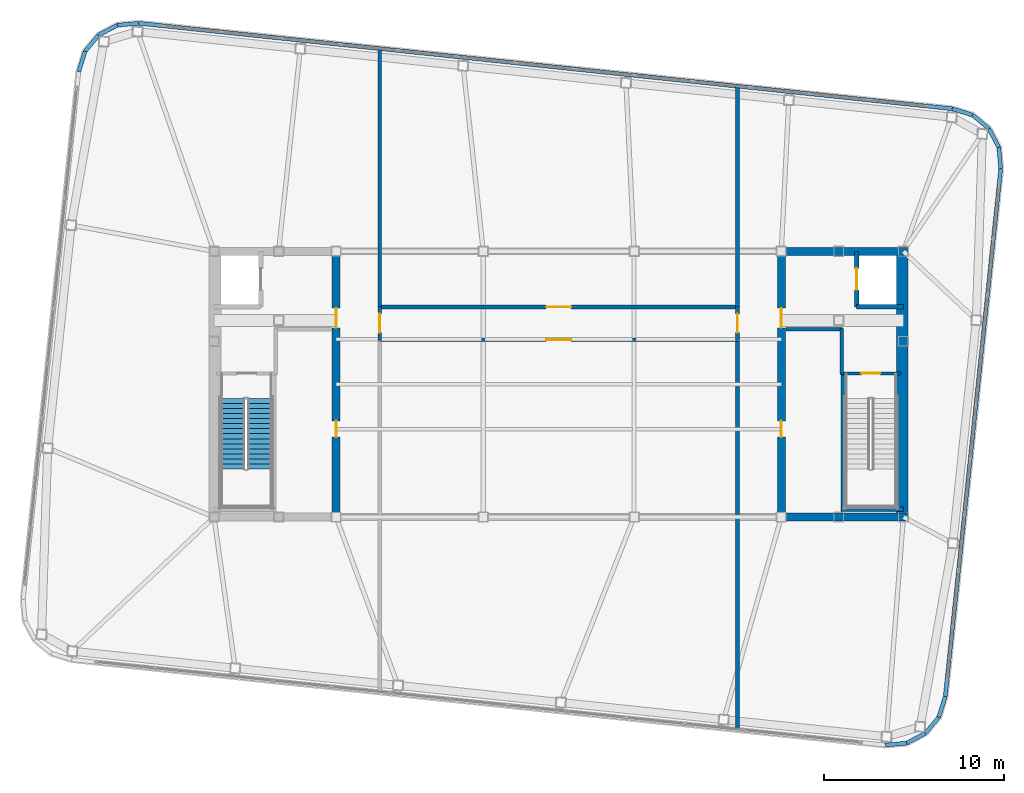
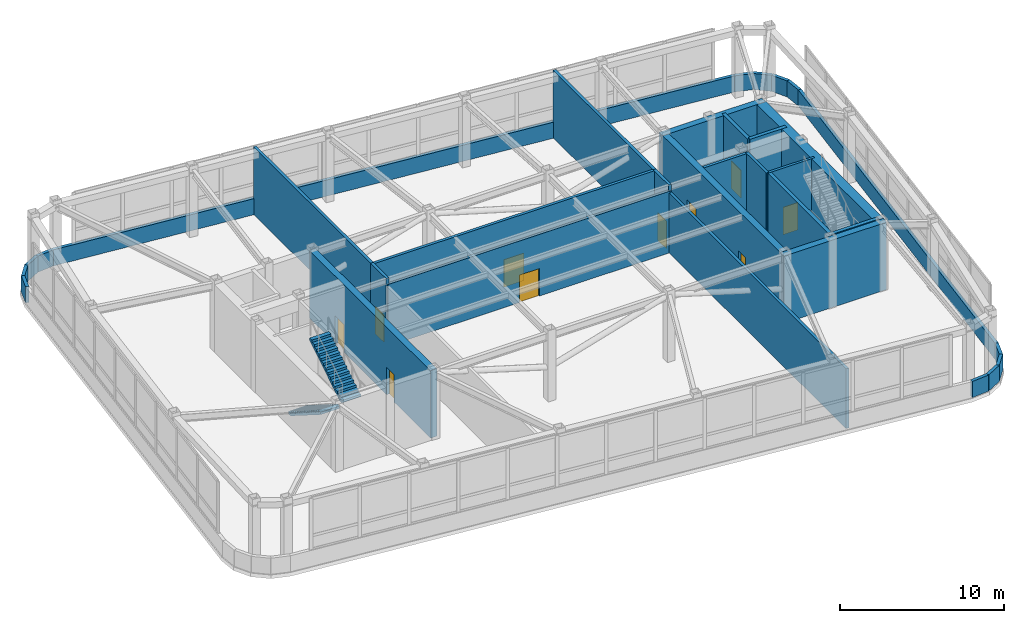
# One storey, part 20 of 23: 33 walls, 10 doors, 2 stair flights, 10 openings, 1 element without a shape of its own.
"""IFC4 building model written with IfcOpenShell, lengths in metres."""

from ifc_helpers import new_model, si_unit, direction, frame, frame_2d, origin, place, context, subcontext, project, spatial, polyline, rectangle, outline, extrude, material, layer, layer_set, type_object, element, fill, aggregate, save


model = new_model("IFC4")

# Units and contexts
model_context = context("Model", 3, precision=1e-05, world=origin(), true_north=direction((0.0, 1.0)))
body_context = subcontext(model_context, "Body", "Model", "MODEL_VIEW")
ifc_project = project(units=[si_unit("LENGTHUNIT", "METRE"), si_unit("AREAUNIT", "SQUARE_METRE"), si_unit("VOLUMEUNIT", "CUBIC_METRE"), si_unit("PLANEANGLEUNIT", "RADIAN"), si_unit("MASSUNIT", "GRAM", prefix="KILO")], contexts=[model_context])

# Site, building, storey
site_placement = place(None, origin())
site = spatial("IfcSite", under=ifc_project, at=site_placement, CompositionType="ELEMENT")
building_placement = place(site_placement, origin())
building = spatial("IfcBuilding", under=site, at=building_placement, Name="Voryun Gate Residences", CompositionType="ELEMENT")
storey_placement = place(building_placement, frame((0.0, 0.0, 321.300048828125)))
storey = spatial("IfcBuildingStorey", under=building, at=storey_placement, Name="L79", CompositionType="ELEMENT", Elevation=321.300048828125)

# Wall, openings, doors
ifc_material_1 = material(Name="Concrete C50/60", Category="concrete")
ifc_layer_1 = layer(ifc_material_1, 0.449951171875, Name="CW_CORE_450")
ifc_layer_set_1 = layer_set([ifc_layer_1], Name="Concrete C50/60")
wall_type_1 = type_object("IfcWallType", Name="CW_CORE_450", PredefinedType="SHEAR", material=ifc_layer_set_1)
wall_1_placement = place(storey_placement, frame((-12.39990234375, -7.39990234375, 0.0), z_axis=(0.0, 0.0, 1.0), x_axis=(0.0, 1.0, 0.0)))
wall_1 = element("IfcWall", 1, at=wall_1_placement, inside=storey, type_object=wall_type_1, Name="L79 Core shear wall CW-L79-WE", PredefinedType="SHEAR", context=body_context, shape_type="SweptSolid", body=[
    extrude(rectangle(XDim=14.7998046875, YDim=0.449951171875, at=frame_2d((7.39990234375, 0.0))), origin(), (0.0, 0.0, 1.0), 5.02490234375),
])
opening_1_placement = place(wall_1_placement, frame((10.530029296875, 0.0, 0.0)))
opening_1 = element("IfcOpeningElement", 2, at=opening_1_placement, cuts=wall_1, Name="Opening D-FD60-2", PredefinedType="OPENING", context=body_context, shape_type="SweptSolid", body=[
    extrude(rectangle(XDim=1.10009765625, YDim=2.050048828125, at=frame_2d((0.550048828125, 1.02490234375))), frame((0.0, 0.235107421875, 0.0), z_axis=(0.0, -1.0, 0.0), x_axis=(1.0, 0.0, 0.0)), (0.0, 0.0, 1.0), 0.469970703125),
])
opening_2_placement = place(wall_1_placement, frame((4.449951171875, 0.0, 0.0)))
opening_2 = element("IfcOpeningElement", 3, at=opening_2_placement, cuts=wall_1, Name="Opening D-FD60-4", PredefinedType="OPENING", context=body_context, shape_type="SweptSolid", body=[
    extrude(rectangle(XDim=0.89990234375, YDim=2.050048828125, at=frame_2d((0.449951171875, 1.02490234375))), frame((0.0, 0.235107421875, 0.0), z_axis=(0.0, -1.0, 0.0), x_axis=(1.0, 0.0, 0.0)), (0.0, 0.0, 1.0), 0.469970703125),
])
ifc_material_2 = material(Name="Painted steel fire door", Category="steel")
door_type_1 = type_object("IfcDoorType", Name="DR_FD60_FFLOB_1100", OperationType="NOTDEFINED", PredefinedType="DOOR", material=ifc_material_2)
door_1_placement = place(opening_1_placement, origin())
door_1 = element("IfcDoor", 4, at=door_1_placement, inside=storey, type_object=door_type_1, Name="Door DR-L79-CLOB-W", OperationType="SINGLE_SWING_LEFT", OverallHeight=2.050048828125, OverallWidth=1.10009765625, PredefinedType="DOOR", context=body_context, shape_type="SweptSolid", body=[
    extrude(rectangle(XDim=1.10009765625, YDim=2.050048828125, at=frame_2d((0.550048828125, 1.02490234375))), frame((0.0, 0.02490234375, 0.0), z_axis=(0.0, -1.0, 0.0), x_axis=(1.0, 0.0, 0.0)), (0.0, 0.0, 1.0), 0.050048828125),
])
fill(opening_1, door_1)
ifc_material_3 = material(Name="Painted steel fire door", Category="steel")
door_type_2 = type_object("IfcDoorType", Name="DR_FD60_RISER_900", OperationType="NOTDEFINED", PredefinedType="DOOR", material=ifc_material_3)
door_2_placement = place(opening_2_placement, origin())
door_2 = element("IfcDoor", 5, at=door_2_placement, inside=storey, type_object=door_type_2, Name="Door DR-L79-CRNW", OperationType="SINGLE_SWING_LEFT", OverallHeight=2.050048828125, OverallWidth=0.89990234375, PredefinedType="DOOR", context=body_context, shape_type="SweptSolid", body=[
    extrude(rectangle(XDim=0.89990234375, YDim=2.050048828125, at=frame_2d((0.449951171875, 1.02490234375))), frame((0.0, 0.02490234375, 0.0), z_axis=(0.0, -1.0, 0.0), x_axis=(1.0, 0.0, 0.0)), (0.0, 0.0, 1.0), 0.050048828125),
])
fill(opening_2, door_2)

# Walls
for number, where, z_axis, x_axis, name in (
    (6, (12.175048828125, -7.39990234375, 0.0), (0.0, 0.0, 1.0), (1.0, 0.0, 0.0), "L79 Core shear wall CW-L79-ES"),
    (7, (12.175048828125, 7.39990234375, 0.0), (0.0, 0.0, 1.0), (1.0, 0.0, 0.0), "L79 Core shear wall CW-L79-EN"),
):
    element("IfcWall", number, at=place(storey_placement, frame(where, z_axis=z_axis, x_axis=x_axis)), inside=storey, type_object=wall_type_1, Name=name, PredefinedType="SHEAR", context=body_context, shape_type="SweptSolid", body=[
        extrude(rectangle(XDim=7.25, YDim=0.449951171875, at=frame_2d((3.625, 0.0))), origin(), (0.0, 0.0, 1.0), 5.02490234375),
    ])

# Wall, openings, doors
wall_2_placement = place(storey_placement, frame((12.39990234375, -7.39990234375, 0.0), z_axis=(0.0, 0.0, 1.0), x_axis=(0.0, 1.0, 0.0)))
wall_2 = element("IfcWall", 8, at=wall_2_placement, inside=storey, type_object=wall_type_1, Name="L79 Core shear wall CW-L79-EW", PredefinedType="SHEAR", context=body_context, shape_type="SweptSolid", body=[
    extrude(rectangle(XDim=14.7998046875, YDim=0.449951171875, at=frame_2d((7.39990234375, 0.0))), origin(), (0.0, 0.0, 1.0), 5.02490234375),
])
opening_3_placement = place(wall_2_placement, frame((10.530029296875, 0.0, 0.0)))
opening_3 = element("IfcOpeningElement", 9, at=opening_3_placement, cuts=wall_2, Name="Opening D-FD60-2", PredefinedType="OPENING", context=body_context, shape_type="SweptSolid", body=[
    extrude(rectangle(XDim=1.10009765625, YDim=2.050048828125, at=frame_2d((0.550048828125, 1.02490234375))), frame((0.0, 0.235107421875, 0.0), z_axis=(0.0, -1.0, 0.0), x_axis=(1.0, 0.0, 0.0)), (0.0, 0.0, 1.0), 0.469970703125),
])
opening_4_placement = place(wall_2_placement, frame((4.449951171875, 0.0, 0.0)))
opening_4 = element("IfcOpeningElement", 10, at=opening_4_placement, cuts=wall_2, Name="Opening D-FD60-4", PredefinedType="OPENING", context=body_context, shape_type="SweptSolid", body=[
    extrude(rectangle(XDim=0.89990234375, YDim=2.050048828125, at=frame_2d((0.449951171875, 1.02490234375))), frame((0.0, 0.235107421875, 0.0), z_axis=(0.0, -1.0, 0.0), x_axis=(1.0, 0.0, 0.0)), (0.0, 0.0, 1.0), 0.469970703125),
])
door_3_placement = place(opening_3_placement, origin())
door_3 = element("IfcDoor", 11, at=door_3_placement, inside=storey, type_object=door_type_1, Name="Door DR-L79-CLOB-E", OperationType="SINGLE_SWING_RIGHT", OverallHeight=2.050048828125, OverallWidth=1.10009765625, PredefinedType="DOOR", context=body_context, shape_type="SweptSolid", body=[
    extrude(rectangle(XDim=1.10009765625, YDim=2.050048828125, at=frame_2d((0.550048828125, 1.02490234375))), frame((0.0, 0.02490234375, 0.0), z_axis=(0.0, -1.0, 0.0), x_axis=(1.0, 0.0, 0.0)), (0.0, 0.0, 1.0), 0.050048828125),
])
fill(opening_3, door_3)
door_4_placement = place(opening_4_placement, origin())
door_4 = element("IfcDoor", 12, at=door_4_placement, inside=storey, type_object=door_type_2, Name="Door DR-L79-CRNE", OperationType="SINGLE_SWING_RIGHT", OverallHeight=2.050048828125, OverallWidth=0.89990234375, PredefinedType="DOOR", context=body_context, shape_type="SweptSolid", body=[
    extrude(rectangle(XDim=0.89990234375, YDim=2.050048828125, at=frame_2d((0.449951171875, 1.02490234375))), frame((0.0, 0.02490234375, 0.0), z_axis=(0.0, -1.0, 0.0), x_axis=(1.0, 0.0, 0.0)), (0.0, 0.0, 1.0), 0.050048828125),
])
fill(opening_4, door_4)

# Wall
ifc_material_4 = material(Name="Concrete C60/75", Category="concrete")
ifc_layer_2 = layer(ifc_material_4, 0.64990234375, Name="CW_CORE_650")
ifc_layer_set_2 = layer_set([ifc_layer_2], Name="Concrete C60/75")
wall_type_2 = type_object("IfcWallType", Name="CW_CORE_650", PredefinedType="SHEAR", material=ifc_layer_set_2)
wall_3_placement = place(storey_placement, frame((19.14501953125, -7.39990234375, 0.0), z_axis=(0.0, 0.0, 1.0), x_axis=(0.0, 1.0, 0.0)))
element("IfcWall", 13, at=wall_3_placement, inside=storey, type_object=wall_type_2, Name="L79 Core shear wall CW-L79-EE", PredefinedType="SHEAR", context=body_context, shape_type="SweptSolid", body=[
    extrude(rectangle(XDim=14.7998046875, YDim=0.64990234375, at=frame_2d((7.39990234375, 0.0))), origin(), (0.0, 0.0, 1.0), 5.02490234375),
])

# Wall, opening, door
ifc_material_5 = material(Name="Gypsum acoustic fireboard")
ifc_layer_3 = layer(ifc_material_5, 0.179931640625, Name="W_CORR_RATED_180")
ifc_layer_set_3 = layer_set([ifc_layer_3], Name="Gypsum acoustic fireboard")
wall_type_3 = type_object("IfcWallType", Name="W_CORR_RATED_180", PredefinedType="PARTITIONING", material=ifc_layer_set_3)
wall_4_placement = place(storey_placement, frame((15.699951171875, 0.60009765625, 0.0), z_axis=(0.0, 0.0, 1.0), x_axis=(1.0, 0.0, 0.0)))
wall_4 = element("IfcWall", 14, at=wall_4_placement, inside=storey, type_object=wall_type_3, Name="Partition wall WP-L79-STV-E", PredefinedType="PARTITIONING", context=body_context, shape_type="SweptSolid", body=[
    extrude(rectangle(XDim=3.360107421875, YDim=0.179931640625, at=frame_2d((1.68017578125, 0.0))), origin(), (0.0, 0.0, 1.0), 5.02490234375),
])
opening_5_placement = place(wall_4_placement, frame((1.155029296875, 0.0, 0.0)))
opening_5 = element("IfcOpeningElement", 15, at=opening_5_placement, cuts=wall_4, Name="Opening D-FD60-1", PredefinedType="OPENING", context=body_context, shape_type="SweptSolid", body=[
    extrude(rectangle(XDim=1.050048828125, YDim=2.050048828125, at=frame_2d((0.52490234375, 1.02490234375))), frame((0.0, 0.099853515625, 0.0), z_axis=(0.0, -1.0, 0.0), x_axis=(1.0, 0.0, 0.0)), (0.0, 0.0, 1.0), 0.199951171875),
])
ifc_material_6 = material(Name="Painted steel fire door", Category="steel")
door_type_3 = type_object("IfcDoorType", Name="DR_FD60_STAIR_1050", OperationType="NOTDEFINED", PredefinedType="DOOR", material=ifc_material_6)
door_5_placement = place(opening_5_placement, origin())
door_5 = element("IfcDoor", 16, at=door_5_placement, inside=storey, type_object=door_type_3, Name="Door DR-L79-ST-E", OperationType="SINGLE_SWING_RIGHT", OverallHeight=2.050048828125, OverallWidth=1.050048828125, PredefinedType="DOOR", context=body_context, shape_type="SweptSolid", body=[
    extrude(rectangle(XDim=1.050048828125, YDim=2.050048828125, at=frame_2d((0.52490234375, 1.02490234375))), frame((0.0, 0.02490234375, 0.0), z_axis=(0.0, -1.0, 0.0), x_axis=(1.0, 0.0, 0.0)), (0.0, 0.0, 1.0), 0.050048828125),
])
fill(opening_5, door_5)

# Walls
ifc_material_7 = material(Name="Concrete C40/50", Category="concrete")
ifc_layer_4 = layer(ifc_material_7, 0.199951171875, Name="W_FF_LOBBY_200")
ifc_layer_set_4 = layer_set([ifc_layer_4], Name="Concrete C40/50")
wall_type_4 = type_object("IfcWallType", Name="W_FF_LOBBY_200", PredefinedType="PARTITIONING", material=ifc_layer_set_4)
wall_5_placement = place(storey_placement, frame((15.760009765625, 0.580078125, 0.0), z_axis=(0.0, 0.0, 1.0), x_axis=(0.0, 1.0, 0.0)))
element("IfcWall", 17, at=wall_5_placement, inside=storey, type_object=wall_type_4, Name="Partition wall WP-L79-FFP0-E", PredefinedType="PARTITIONING", context=body_context, shape_type="SweptSolid", body=[
    extrude(rectangle(XDim=2.52001953125, YDim=0.199951171875, at=frame_2d((1.260009765625, 0.0))), origin(), (0.0, 0.0, 1.0), 5.02490234375),
])
wall_6_placement = place(storey_placement, frame((12.659912109375, 3.06005859375, 0.0), z_axis=(0.0, 0.0, 1.0), x_axis=(1.0, 0.0, 0.0)))
element("IfcWall", 18, at=wall_6_placement, inside=storey, type_object=wall_type_4, Name="Partition wall WP-L79-FFPS-E", PredefinedType="PARTITIONING", context=body_context, shape_type="SweptSolid", body=[
    extrude(rectangle(XDim=3.16015625, YDim=0.199951171875, at=frame_2d((1.580078125, 0.0))), origin(), (0.0, 0.0, 1.0), 5.02490234375),
])

# Wall, opening, door
wall_7_placement = place(storey_placement, frame((-9.97998046875, 2.47998046875, 0.0), z_axis=(0.0, 0.0, 1.0), x_axis=(1.0, 0.0, 0.0)))
wall_7 = element("IfcWall", 19, at=wall_7_placement, inside=storey, type_object=wall_type_4, Name="Partition wall WP-L79-CS", PredefinedType="PARTITIONING", context=body_context, shape_type="SweptSolid", body=[
    extrude(rectangle(XDim=19.9599609375, YDim=0.199951171875, at=frame_2d((9.97998046875, 0.0))), origin(), (0.0, 0.0, 1.0), 4.594970703125),
])
opening_6_placement = place(wall_7_placement, frame((9.280029296875, 0.0, 0.0)))
opening_6 = element("IfcOpeningElement", 20, at=opening_6_placement, cuts=wall_7, Name="Opening D-FD60-3", PredefinedType="OPENING", context=body_context, shape_type="SweptSolid", body=[
    extrude(rectangle(XDim=1.39990234375, YDim=2.050048828125, at=frame_2d((0.699951171875, 1.02490234375))), frame((0.0, 0.110107421875, 0.0), z_axis=(0.0, -1.0, 0.0), x_axis=(1.0, 0.0, 0.0)), (0.0, 0.0, 1.0), 0.219970703125),
])
ifc_material_8 = material(Name="Painted steel fire door", Category="steel")
door_type_4 = type_object("IfcDoorType", Name="DR_FD60_PLANT_1400", OperationType="NOTDEFINED", PredefinedType="DOOR", material=ifc_material_8)
door_6_placement = place(opening_6_placement, origin())
door_6 = element("IfcDoor", 21, at=door_6_placement, inside=storey, type_object=door_type_4, Name="Door DR-L79-CS", OperationType="DOUBLE_DOOR_SINGLE_SWING", OverallHeight=2.050048828125, OverallWidth=1.39990234375, PredefinedType="DOOR", context=body_context, shape_type="SweptSolid", body=[
    extrude(rectangle(XDim=1.39990234375, YDim=2.050048828125, at=frame_2d((0.699951171875, 1.02490234375))), frame((0.0, 0.02490234375, 0.0), z_axis=(0.0, -1.0, 0.0), x_axis=(1.0, 0.0, 0.0)), (0.0, 0.0, 1.0), 0.050048828125),
])
fill(opening_6, door_6)

wall_8_placement = place(storey_placement, frame((-9.97998046875, 4.300048828125, 0.0), z_axis=(0.0, 0.0, 1.0), x_axis=(1.0, 0.0, 0.0)))
wall_8 = element("IfcWall", 22, at=wall_8_placement, inside=storey, type_object=wall_type_4, Name="Partition wall WP-L79-CN", PredefinedType="PARTITIONING", context=body_context, shape_type="SweptSolid", body=[
    extrude(rectangle(XDim=19.9599609375, YDim=0.199951171875, at=frame_2d((9.97998046875, 0.0))), origin(), (0.0, 0.0, 1.0), 5.02490234375),
])
opening_7_placement = place(wall_8_placement, frame((9.280029296875, 0.0, 0.0)))
opening_7 = element("IfcOpeningElement", 23, at=opening_7_placement, cuts=wall_8, Name="Opening D-FD60-3", PredefinedType="OPENING", context=body_context, shape_type="SweptSolid", body=[
    extrude(rectangle(XDim=1.39990234375, YDim=2.050048828125, at=frame_2d((0.699951171875, 1.02490234375))), frame((0.0, 0.110107421875, 0.0), z_axis=(0.0, -1.0, 0.0), x_axis=(1.0, 0.0, 0.0)), (0.0, 0.0, 1.0), 0.219970703125),
])
door_7_placement = place(opening_7_placement, origin())
door_7 = element("IfcDoor", 24, at=door_7_placement, inside=storey, type_object=door_type_4, Name="Door DR-L79-CN", OperationType="DOUBLE_DOOR_SINGLE_SWING", OverallHeight=2.050048828125, OverallWidth=1.39990234375, PredefinedType="DOOR", context=body_context, shape_type="SweptSolid", body=[
    extrude(rectangle(XDim=1.39990234375, YDim=2.050048828125, at=frame_2d((0.699951171875, 1.02490234375))), frame((0.0, 0.02490234375, 0.0), z_axis=(0.0, -1.0, 0.0), x_axis=(1.0, 0.0, 0.0)), (0.0, 0.0, 1.0), 0.050048828125),
])
fill(opening_7, door_7)

wall_9_placement = place(storey_placement, frame((-9.9599609375, 2.43994140625, 0.0), z_axis=(0.0, 0.0, 1.0), x_axis=(0.0, 1.0, 0.0)))
wall_9 = element("IfcWall", 25, at=wall_9_placement, inside=storey, type_object=wall_type_4, Name="Partition wall WP-L79-CWMID", PredefinedType="PARTITIONING", context=body_context, shape_type="SweptSolid", body=[
    extrude(rectangle(XDim=1.900146484375, YDim=0.199951171875, at=frame_2d((0.9501953125, 0.0))), origin(), (0.0, 0.0, 1.0), 5.02490234375),
])
opening_8_placement = place(wall_9_placement, frame((0.425048828125, 0.0, 0.0)))
opening_8 = element("IfcOpeningElement", 26, at=opening_8_placement, cuts=wall_9, Name="Opening D-FD60-1", PredefinedType="OPENING", context=body_context, shape_type="SweptSolid", body=[
    extrude(rectangle(XDim=1.050048828125, YDim=2.050048828125, at=frame_2d((0.52490234375, 1.02490234375))), frame((0.0, 0.110107421875, 0.0), z_axis=(0.0, -1.0, 0.0), x_axis=(1.0, 0.0, 0.0)), (0.0, 0.0, 1.0), 0.219970703125),
])
door_8_placement = place(opening_8_placement, origin())
door_8 = element("IfcDoor", 27, at=door_8_placement, inside=storey, type_object=door_type_3, Name="Door DR-L79-CW1", OperationType="SINGLE_SWING_LEFT", OverallHeight=2.050048828125, OverallWidth=1.050048828125, PredefinedType="DOOR", context=body_context, shape_type="SweptSolid", body=[
    extrude(rectangle(XDim=1.050048828125, YDim=2.050048828125, at=frame_2d((0.52490234375, 1.02490234375))), frame((0.0, 0.02490234375, 0.0), z_axis=(0.0, -1.0, 0.0), x_axis=(1.0, 0.0, 0.0)), (0.0, 0.0, 1.0), 0.050048828125),
])
fill(opening_8, door_8)

wall_10_placement = place(storey_placement, frame((9.9599609375, 2.43994140625, 0.0), z_axis=(0.0, 0.0, 1.0), x_axis=(0.0, 1.0, 0.0)))
wall_10 = element("IfcWall", 28, at=wall_10_placement, inside=storey, type_object=wall_type_4, Name="Partition wall WP-L79-CEMID", PredefinedType="PARTITIONING", context=body_context, shape_type="SweptSolid", body=[
    extrude(rectangle(XDim=1.900146484375, YDim=0.199951171875, at=frame_2d((0.9501953125, 0.0))), origin(), (0.0, 0.0, 1.0), 5.02490234375),
])
opening_9_placement = place(wall_10_placement, frame((0.425048828125, 0.0, 0.0)))
opening_9 = element("IfcOpeningElement", 29, at=opening_9_placement, cuts=wall_10, Name="Opening D-FD60-1", PredefinedType="OPENING", context=body_context, shape_type="SweptSolid", body=[
    extrude(rectangle(XDim=1.050048828125, YDim=2.050048828125, at=frame_2d((0.52490234375, 1.02490234375))), frame((0.0, 0.110107421875, 0.0), z_axis=(0.0, -1.0, 0.0), x_axis=(1.0, 0.0, 0.0)), (0.0, 0.0, 1.0), 0.219970703125),
])
door_9_placement = place(opening_9_placement, origin())
door_9 = element("IfcDoor", 30, at=door_9_placement, inside=storey, type_object=door_type_3, Name="Door DR-L79-CE1", OperationType="SINGLE_SWING_RIGHT", OverallHeight=2.050048828125, OverallWidth=1.050048828125, PredefinedType="DOOR", context=body_context, shape_type="SweptSolid", body=[
    extrude(rectangle(XDim=1.050048828125, YDim=2.050048828125, at=frame_2d((0.52490234375, 1.02490234375))), frame((0.0, 0.02490234375, 0.0), z_axis=(0.0, -1.0, 0.0), x_axis=(1.0, 0.0, 0.0)), (0.0, 0.0, 1.0), 0.050048828125),
])
fill(opening_9, door_9)

# Walls
wall_11_placement = place(storey_placement, frame((-9.9599609375, 4.280029296875, 0.0), z_axis=(0.0, 0.0, 1.0), x_axis=(0.0, 1.0, 0.0)))
element("IfcWall", 31, at=wall_11_placement, inside=storey, type_object=wall_type_4, Name="Partition wall WP-L79-CW2", PredefinedType="PARTITIONING", context=body_context, shape_type="SweptSolid", body=[
    extrude(rectangle(XDim=14.3916015625, YDim=0.199951171875, at=frame_2d((7.19580078125, 0.0))), origin(), (0.0, 0.0, 1.0), 5.02490234375),
])
wall_12_placement = place(storey_placement, frame((9.9599609375, -19.21826171875, 0.0), z_axis=(0.0, 0.0, 1.0), x_axis=(0.0, 1.0, 0.0)))
element("IfcWall", 32, at=wall_12_placement, inside=storey, type_object=wall_type_4, Name="Partition wall WP-L79-CE1", PredefinedType="PARTITIONING", context=body_context, shape_type="SweptSolid", body=[
    extrude(rectangle(XDim=21.71826171875, YDim=0.199951171875, at=frame_2d((10.859130859375, 0.0))), origin(), (0.0, 0.0, 1.0), 4.46484375),
])
wall_13_placement = place(storey_placement, frame((9.9599609375, 4.280029296875, 0.0), z_axis=(0.0, 0.0, 1.0), x_axis=(0.0, 1.0, 0.0)))
element("IfcWall", 33, at=wall_13_placement, inside=storey, type_object=wall_type_4, Name="Partition wall WP-L79-CE2", PredefinedType="PARTITIONING", context=body_context, shape_type="SweptSolid", body=[
    extrude(rectangle(XDim=12.2978515625, YDim=0.199951171875, at=frame_2d((6.14892578125, 0.0))), origin(), (0.0, 0.0, 1.0), 5.02490234375),
])
ifc_material_9 = material(Name="Precast concrete C40/50", Category="concrete")
ifc_layer_5 = layer(ifc_material_9, 0.219970703125, Name="W_PARAPET_CURB_220")
ifc_layer_set_5 = layer_set([ifc_layer_5], Name="Precast concrete C40/50")
wall_type_5 = type_object("IfcWallType", Name="W_PARAPET_CURB_220", PredefinedType="PARAPET", material=ifc_layer_set_5)
wall_14_placement = place(storey_placement, frame((-26.7333984375, 17.400146484375, 0.0), z_axis=(0.0, 0.0, 1.0), x_axis=(0.296611239858, 0.95499831015, 0.0)))
element("IfcWall", 34, at=wall_14_placement, inside=storey, type_object=wall_type_5, Name="Exterior wall WCRN-L79-07", PredefinedType="PARAPET", context=body_context, shape_type="SweptSolid", body=[
    extrude(rectangle(XDim=1.195068359375, YDim=0.219970703125, at=frame_2d((0.59765625, 0.0))), origin(), (0.0, 0.0, 1.0), 1.199951171875),
])
wall_15_placement = place(storey_placement, frame((-26.37890625, 18.54150390625, 0.0), z_axis=(0.0, 0.0, 1.0), x_axis=(0.639408628756, 0.768867092203, 0.0)))
element("IfcWall", 35, at=wall_15_placement, inside=storey, type_object=wall_type_5, Name="Exterior wall WCRN-L79-08", PredefinedType="PARAPET", context=body_context, shape_type="SweptSolid", body=[
    extrude(rectangle(XDim=1.1767578125, YDim=0.219970703125, at=frame_2d((0.58837890625, 0.0))), origin(), (0.0, 0.0, 1.0), 1.199951171875),
])
wall_16_placement = place(storey_placement, frame((-25.62646484375, 19.4462890625, 0.0), z_axis=(0.0, 0.0, 1.0), x_axis=(0.884985697578, 0.465618207421, 0.0)))
element("IfcWall", 36, at=wall_16_placement, inside=storey, type_object=wall_type_5, Name="Exterior wall WCRN-L79-09", PredefinedType="PARAPET", context=body_context, shape_type="SweptSolid", body=[
    extrude(rectangle(XDim=1.17724609375, YDim=0.219970703125, at=frame_2d((0.588623046875, 0.0))), origin(), (0.0, 0.0, 1.0), 1.199951171875),
])
wall_17_placement = place(storey_placement, frame((-24.584716796875, 19.994384765625, 0.0), z_axis=(0.0, 0.0, 1.0), x_axis=(0.995802277791, 0.091530451467, 0.0)))
element("IfcWall", 37, at=wall_17_placement, inside=storey, type_object=wall_type_5, Name="Exterior wall WCRN-L79-10", PredefinedType="PARAPET", context=body_context, shape_type="SweptSolid", body=[
    extrude(rectangle(XDim=1.195068359375, YDim=0.219970703125, at=frame_2d((0.59765625, 0.0))), origin(), (0.0, 0.0, 1.0), 1.199951171875),
])
wall_18_placement = place(storey_placement, frame((-23.394775390625, 20.103759765625, 0.0), z_axis=(0.0, 0.0, 1.0), x_axis=(0.994522116558, -0.104526358762, 0.0)))
element("IfcWall", 38, at=wall_18_placement, inside=storey, type_object=wall_type_5, Name="Exterior wall WCRN-L79-11", PredefinedType="PARAPET", context=body_context, shape_type="SweptSolid", body=[
    extrude(rectangle(XDim=45.564453125, YDim=0.219970703125, at=frame_2d((22.7822265625, 0.0))), origin(), (0.0, 0.0, 1.0), 1.199951171875),
])
wall_19_placement = place(storey_placement, frame((21.920166015625, 15.341064453125, 0.0), z_axis=(0.0, 0.0, 1.0), x_axis=(0.95499831015, -0.296611239858, 0.0)))
element("IfcWall", 39, at=wall_19_placement, inside=storey, type_object=wall_type_5, Name="Exterior wall WCRN-L79-12", PredefinedType="PARAPET", context=body_context, shape_type="SweptSolid", body=[
    extrude(rectangle(XDim=1.195068359375, YDim=0.219970703125, at=frame_2d((0.59765625, 0.0))), origin(), (0.0, 0.0, 1.0), 1.199951171875),
])
for number, where, z_axis, x_axis, name in (
    (40, (23.0615234375, 14.986572265625, 0.0), (0.0, 0.0, 1.0), (0.768765101718, -0.639531248947, 0.0), "Exterior wall WCRN-L79-13"),
    (41, (23.96630859375, 14.23388671875, 0.0), (0.0, 0.0, 1.0), (0.465703684269, -0.884940720308, 0.0), "Exterior wall WCRN-L79-14"),
):
    element("IfcWall", number, at=place(storey_placement, frame(where, z_axis=z_axis, x_axis=x_axis)), inside=storey, type_object=wall_type_5, Name=name, PredefinedType="PARAPET", context=body_context, shape_type="SweptSolid", body=[
        extrude(rectangle(XDim=1.177001953125, YDim=0.219970703125, at=frame_2d((0.58837890625, 0.0))), origin(), (0.0, 0.0, 1.0), 1.199951171875),
    ])
wall_20_placement = place(storey_placement, frame((24.514404296875, 13.1923828125, 0.0), z_axis=(0.0, 0.0, 1.0), x_axis=(0.091530451467, -0.995802277791, 0.0)))
element("IfcWall", 42, at=wall_20_placement, inside=storey, type_object=wall_type_5, Name="Exterior wall WCRN-L79-15", PredefinedType="PARAPET", context=body_context, shape_type="SweptSolid", body=[
    extrude(rectangle(XDim=1.195068359375, YDim=0.219970703125, at=frame_2d((0.59765625, 0.0))), origin(), (0.0, 0.0, 1.0), 1.199951171875),
])
wall_21_placement = place(storey_placement, frame((24.623779296875, 12.00244140625, 0.0), z_axis=(0.0, 0.0, 1.0), x_axis=(-0.104528313262, -0.994521911134, 0.0)))
element("IfcWall", 43, at=wall_21_placement, inside=storey, type_object=wall_type_5, Name="Exterior wall WCRN-L79-16", PredefinedType="PARAPET", context=body_context, shape_type="SweptSolid", body=[
    extrude(rectangle(XDim=29.564453125, YDim=0.219970703125, at=frame_2d((14.7822265625, 0.0))), origin(), (0.0, 0.0, 1.0), 1.199951171875),
])
wall_22_placement = place(storey_placement, frame((21.533447265625, -17.400146484375, 0.0), z_axis=(0.0, 0.0, 1.0), x_axis=(-0.296611239858, -0.95499831015, 0.0)))
element("IfcWall", 44, at=wall_22_placement, inside=storey, type_object=wall_type_5, Name="Exterior wall WCRN-L79-17", PredefinedType="PARAPET", context=body_context, shape_type="SweptSolid", body=[
    extrude(rectangle(XDim=1.195068359375, YDim=0.219970703125, at=frame_2d((0.59765625, 0.0))), origin(), (0.0, 0.0, 1.0), 1.199951171875),
])
wall_23_placement = place(storey_placement, frame((21.178955078125, -18.54150390625, 0.0), z_axis=(0.0, 0.0, 1.0), x_axis=(-0.639408628756, -0.768867092203, 0.0)))
element("IfcWall", 45, at=wall_23_placement, inside=storey, type_object=wall_type_5, Name="Exterior wall WCRN-L79-18", PredefinedType="PARAPET", context=body_context, shape_type="SweptSolid", body=[
    extrude(rectangle(XDim=1.1767578125, YDim=0.219970703125, at=frame_2d((0.58837890625, 0.0))), origin(), (0.0, 0.0, 1.0), 1.199951171875),
])
wall_24_placement = place(storey_placement, frame((20.426513671875, -19.4462890625, 0.0), z_axis=(0.0, 0.0, 1.0), x_axis=(-0.884985697578, -0.465618207421, 0.0)))
element("IfcWall", 46, at=wall_24_placement, inside=storey, type_object=wall_type_5, Name="Exterior wall WCRN-L79-19", PredefinedType="PARAPET", context=body_context, shape_type="SweptSolid", body=[
    extrude(rectangle(XDim=1.17724609375, YDim=0.219970703125, at=frame_2d((0.588623046875, 0.0))), origin(), (0.0, 0.0, 1.0), 1.199951171875),
])
wall_25_placement = place(storey_placement, frame((19.384765625, -19.994384765625, 0.0), z_axis=(0.0, 0.0, 1.0), x_axis=(-0.995802277791, -0.091530451467, 0.0)))
element("IfcWall", 47, at=wall_25_placement, inside=storey, type_object=wall_type_5, Name="Exterior wall WCRN-L79-20", PredefinedType="PARAPET", context=body_context, shape_type="SweptSolid", body=[
    extrude(rectangle(XDim=1.195068359375, YDim=0.219970703125, at=frame_2d((0.59765625, 0.0))), origin(), (0.0, 0.0, 1.0), 1.199951171875),
])
ifc_material_10 = material(Name="Concrete C50/60", Category="concrete")
ifc_layer_6 = layer(ifc_material_10, 0.25, Name="W_SHAFT_RC250")
ifc_layer_set_6 = layer_set([ifc_layer_6], Name="Concrete C50/60")
wall_type_6 = type_object("IfcWallType", Name="W_SHAFT_RC250", PredefinedType="SOLIDWALL", material=ifc_layer_set_6)
wall_26_placement = place(storey_placement, frame((15.860107421875, -7.0849609375, 0.0), z_axis=(0.0, 0.0, 1.0), x_axis=(0.0, 1.0, 0.0)))
element("IfcWall", 48, at=wall_26_placement, inside=storey, type_object=wall_type_6, Name="L79 Stair shaft structural wall E-STL", PredefinedType="SOLIDWALL", context=body_context, shape_type="SweptSolid", body=[
    extrude(rectangle(XDim=7.68505859375, YDim=0.25, at=frame_2d((3.842529296875, 0.0))), origin(), (0.0, 0.0, 1.0), 5.02490234375),
])
wall_27_placement = place(storey_placement, frame((15.739990234375, -6.965087890625, 0.0), z_axis=(0.0, 0.0, 1.0), x_axis=(1.0, 0.0, 0.0)))
element("IfcWall", 49, at=wall_27_placement, inside=storey, type_object=wall_type_6, Name="L79 Stair shaft structural wall E-STS", PredefinedType="SOLIDWALL", context=body_context, shape_type="SweptSolid", body=[
    extrude(rectangle(XDim=3.4599609375, YDim=0.25, at=frame_2d((1.72998046875, 0.0))), origin(), (0.0, 0.0, 1.0), 5.02490234375),
])
wall_28_placement = place(storey_placement, frame((16.60009765625, 4.300048828125, 0.0), z_axis=(0.0, 0.0, 1.0), x_axis=(1.0, 0.0, 0.0)))
element("IfcWall", 50, at=wall_28_placement, inside=storey, type_object=wall_type_6, Name="Lift shaft wall WSH-L79-EL-FF-E1-S", PredefinedType="SOLIDWALL", context=body_context, shape_type="SweptSolid", body=[
    extrude(rectangle(XDim=2.599853515625, YDim=0.25, at=frame_2d((1.2998046875, 0.0))), origin(), (0.0, 0.0, 1.0), 5.02490234375),
])

# Wall, opening, door
wall_29_placement = place(storey_placement, frame((16.60009765625, 7.39990234375, 0.0), z_axis=(0.0, 0.0, 1.0), x_axis=(0.0, -1.0, 0.0)))
wall_29 = element("IfcWall", 51, at=wall_29_placement, inside=storey, type_object=wall_type_6, Name="Lift shaft wall WSH-L79-EL-FF-E1-W", PredefinedType="SOLIDWALL", context=body_context, shape_type="SweptSolid", body=[
    extrude(rectangle(XDim=3.099853515625, YDim=0.25, at=frame_2d((1.5498046875, 0.0))), origin(), (0.0, 0.0, 1.0), 5.02490234375),
])
opening_10_placement = place(wall_29_placement, frame((0.949951171875, 0.0, 0.0)))
opening_10 = element("IfcOpeningElement", 52, at=opening_10_placement, cuts=wall_29, Name="Opening LD1", PredefinedType="OPENING", context=body_context, shape_type="SweptSolid", body=[
    extrude(rectangle(XDim=1.199951171875, YDim=2.050048828125, at=frame_2d((0.60009765625, 1.02490234375))), frame((0.0, 0.135009765625, 0.0), z_axis=(0.0, -1.0, 0.0), x_axis=(1.0, 0.0, 0.0)), (0.0, 0.0, 1.0), 0.27001953125),
])
ifc_material_11 = material(Name="Anodised aluminium", Category="aluminium")
door_type_5 = type_object("IfcDoorType", Name="DR_LD_FF_1200", OperationType="NOTDEFINED", PredefinedType="DOOR", material=ifc_material_11)
door_10_placement = place(opening_10_placement, origin())
door_10 = element("IfcDoor", 53, at=door_10_placement, inside=storey, type_object=door_type_5, Name="Lift EL-FF-E1 sliding landing door L79", OperationType="SLIDING_TO_LEFT", OverallHeight=2.050048828125, OverallWidth=1.199951171875, PredefinedType="DOOR", context=body_context, shape_type="SweptSolid", body=[
    extrude(rectangle(XDim=1.199951171875, YDim=2.050048828125, at=frame_2d((0.60009765625, 1.02490234375))), frame((0.0, 0.02490234375, 0.0), z_axis=(0.0, -1.0, 0.0), x_axis=(1.0, 0.0, 0.0)), (0.0, 0.0, 1.0), 0.050048828125),
])
fill(opening_10, door_10)

# Stair, stair flights
ifc_material_12 = material(Name="Concrete C40/50", Category="concrete")
stair_type = type_object("IfcStairType", Name="STR_CORE_DOGLEG_1350", PredefinedType="HALF_TURN_STAIR", material=ifc_material_12)
stair_placement = place(storey_placement, origin())
stair = element("IfcStair", 54, at=stair_placement, inside=storey, type_object=stair_type, Name="L79 Special Escape Stair ST-W1", PredefinedType="HALF_TURN_STAIR")
ifc_material_13 = material(Name="Concrete C40/50", Category="concrete")
stair_flight_type = type_object("IfcStairFlightType", Name="FLT_CORE_1350", PredefinedType="STRAIGHT", material=ifc_material_13)
stair_flight_1_placement = place(storey_placement, frame((-18.14990234375, -0.800048828125, 0.0), z_axis=(0.0, 0.0, 1.0), x_axis=(0.0, -1.0, 0.0)))
stair_flight_1 = element("IfcStairFlight", 55, at=stair_flight_1_placement, type_object=stair_flight_type, Name="ST-W1 flight 1", NumberOfRisers=15, NumberOfTreads=14, PredefinedType="STRAIGHT", RiserHeight=0.176666667, TreadLength=0.28, context=body_context, shape_type="SweptSolid", body=[
    extrude(outline(polyline([(0.0, 0.0), (0.0, 0.1767578125), (0.280029296875, 0.1767578125), (0.280029296875, 0.353271484375), (0.56005859375, 0.353271484375), (0.56005859375, 0.530029296875), (0.840087890625, 0.530029296875), (0.840087890625, 0.706787109375), (1.1201171875, 0.706787109375), (1.1201171875, 0.88330078125), (1.39990234375, 0.88330078125), (1.39990234375, 1.06005859375), (1.679931640625, 1.06005859375), (1.679931640625, 1.236572265625), (1.9599609375, 1.236572265625), (1.9599609375, 1.413330078125), (2.239990234375, 1.413330078125), (2.239990234375, 1.590087890625), (2.52001953125, 1.590087890625), (2.52001953125, 1.7666015625), (2.800048828125, 1.7666015625), (2.800048828125, 1.943359375), (3.080078125, 1.943359375), (3.080078125, 2.1201171875), (3.360107421875, 2.1201171875), (3.360107421875, 2.296630859375), (3.639892578125, 2.296630859375), (3.639892578125, 2.473388671875), (3.919921875, 2.473388671875), (3.919921875, 2.64990234375), (3.919921875, 2.296142578125), (0.281005859375, 0.0), (0.0, 0.0)])), frame((0.0, 0.675048828125, 0.0), z_axis=(0.0, -1.0, 0.0), x_axis=(1.0, 0.0, 0.0)), (0.0, 0.0, 1.0), 1.35009765625),
])
stair_flight_2_placement = place(storey_placement, frame((-16.64990234375, -4.719970703125, 2.64990234375), z_axis=(0.0, 0.0, 1.0), x_axis=(0.0, 1.0, 0.0)))
stair_flight_2 = element("IfcStairFlight", 56, at=stair_flight_2_placement, type_object=stair_flight_type, Name="ST-W1 flight 2", NumberOfRisers=15, NumberOfTreads=14, PredefinedType="STRAIGHT", RiserHeight=0.176666667, TreadLength=0.28, context=body_context, shape_type="SweptSolid", body=[
    extrude(outline(polyline([(0.0, 0.0), (0.0, 0.1767578125), (0.280029296875, 0.1767578125), (0.280029296875, 0.353271484375), (0.56005859375, 0.353271484375), (0.56005859375, 0.530029296875), (0.840087890625, 0.530029296875), (0.840087890625, 0.706787109375), (1.1201171875, 0.706787109375), (1.1201171875, 0.88330078125), (1.39990234375, 0.88330078125), (1.39990234375, 1.06005859375), (1.679931640625, 1.06005859375), (1.679931640625, 1.236572265625), (1.9599609375, 1.236572265625), (1.9599609375, 1.413330078125), (2.239990234375, 1.413330078125), (2.239990234375, 1.590087890625), (2.52001953125, 1.590087890625), (2.52001953125, 1.7666015625), (2.800048828125, 1.7666015625), (2.800048828125, 1.943359375), (3.080078125, 1.943359375), (3.080078125, 2.1201171875), (3.360107421875, 2.1201171875), (3.360107421875, 2.296630859375), (3.639892578125, 2.296630859375), (3.639892578125, 2.473388671875), (3.919921875, 2.473388671875), (3.919921875, 2.64990234375), (3.919921875, 2.296142578125), (0.281005859375, 0.0), (0.0, 0.0)])), frame((0.0, 0.675048828125, 0.0), z_axis=(0.0, -1.0, 0.0), x_axis=(1.0, 0.0, 0.0)), (0.0, 0.0, 1.0), 1.35009765625),
])
aggregate(stair, [stair_flight_1, stair_flight_2])

save(model, "model.ifc")
